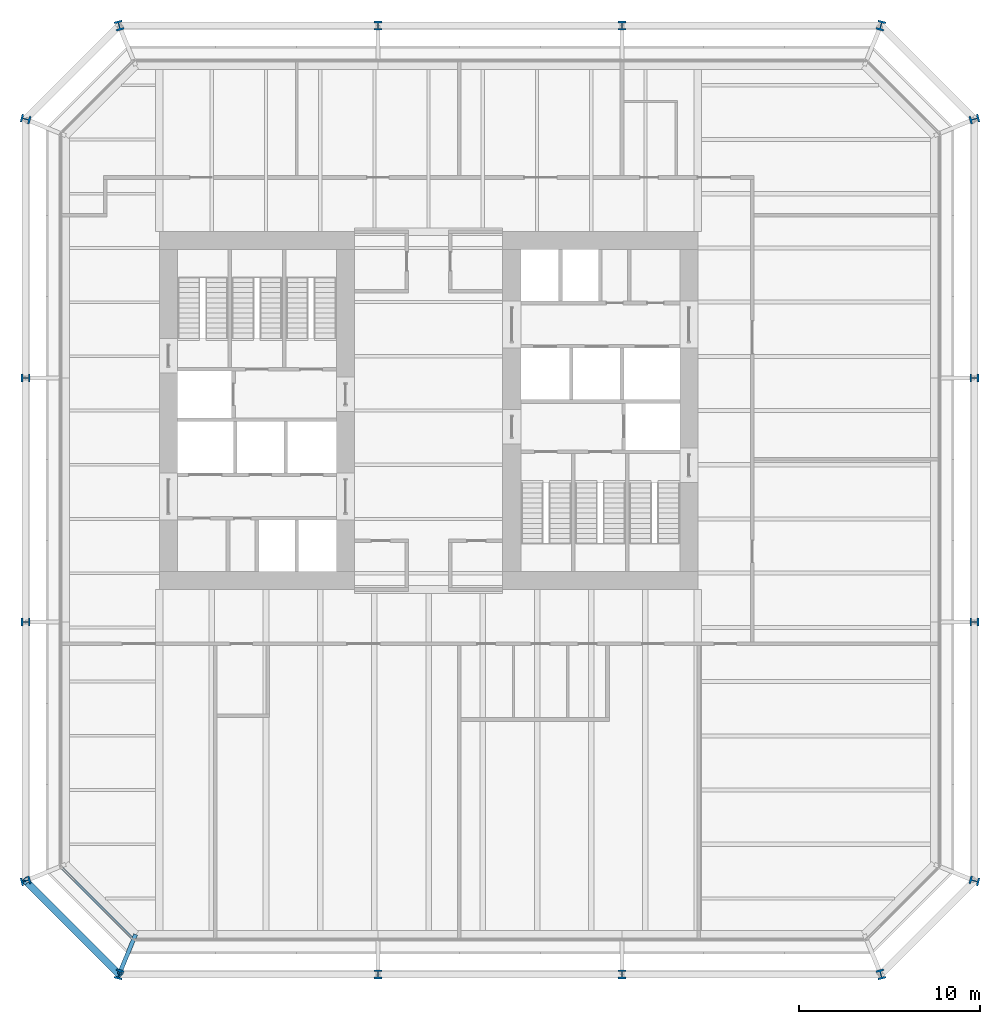
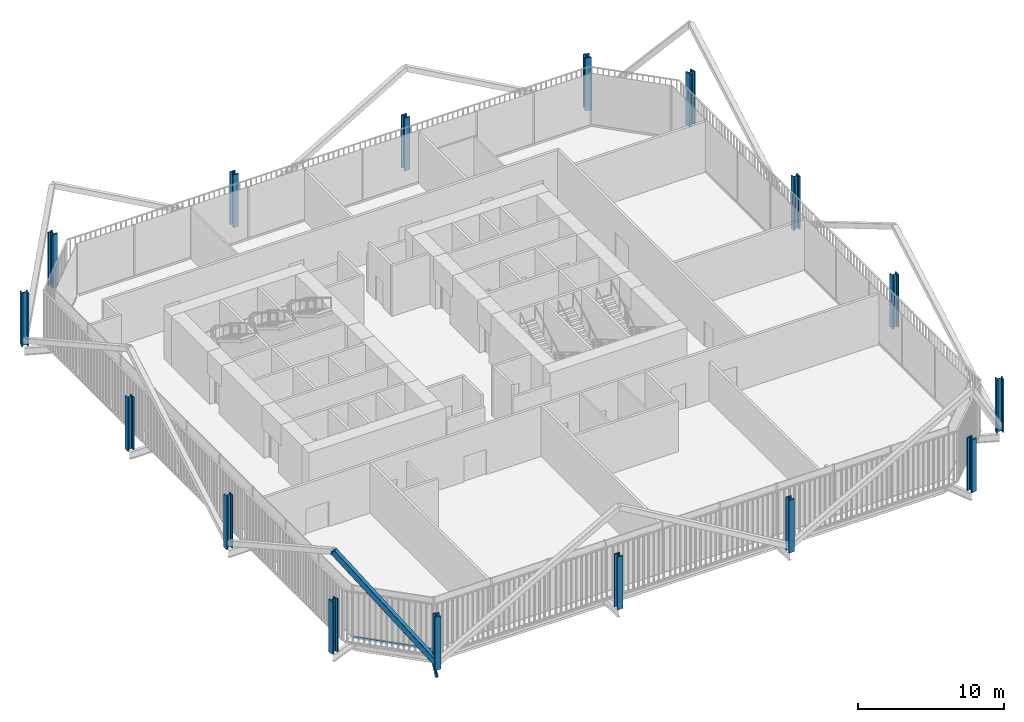
# One storey, part 1 of 21: 16 columns, 2 members, 1 beam, 1 element without a shape of its own.
"""IFC4 building model written with IfcOpenShell, lengths in metres."""

from ifc_helpers import new_model, si_unit, direction, frame, origin, origin_2d, place, context, subcontext, project, spatial, rectangle, hollow_rectangle, i_section, extrude, material, layer, layer_set, material_profile, profile_set, type_object, element, aggregate, save


model = new_model("IFC4")

# Units and contexts
model_context = context("Model", 3, precision=1e-05, world=origin(), true_north=direction((0.0, 1.0)))
body_context = subcontext(model_context, "Body", "Model", "MODEL_VIEW")
ifc_project = project(units=[si_unit("LENGTHUNIT", "METRE"), si_unit("AREAUNIT", "SQUARE_METRE"), si_unit("VOLUMEUNIT", "CUBIC_METRE"), si_unit("PLANEANGLEUNIT", "RADIAN"), si_unit("MASSUNIT", "GRAM", prefix="KILO")], contexts=[model_context])

# Site, building, storey
site_placement = place(None, origin())
site = spatial("IfcSite", under=ifc_project, at=site_placement, CompositionType="ELEMENT")
building_placement = place(site_placement, origin())
building = spatial("IfcBuilding", under=site, at=building_placement, Name="Millrace Tower", CompositionType="ELEMENT")
storey_placement = place(building_placement, frame((0.0, 0.0, 82.0)))
storey = spatial("IfcBuildingStorey", under=building, at=storey_placement, Name="L18", CompositionType="ELEMENT", Elevation=82.0)

# Columns
ifc_material_1 = material(Name="Steel ASTM A913 Grade 65", Category="steel")
ifc_material_profile_1 = material_profile(ifc_material_1, i_section(OverallWidth=0.431884765625, OverallDepth=0.497802734375, WebThickness=0.0556640625, FlangeThickness=0.0888671875, FilletRadius=0.01513671875, at=origin_2d()))
ifc_profile_set_1 = profile_set([ifc_material_profile_1], Name="Steel ASTM A913 Grade 65")
column_type_1 = type_object("IfcColumnType", Name="Exoskeleton column W14x500", PredefinedType="COLUMN", material=ifc_profile_set_1)
for number, where, z_axis, x_axis, name in (
    (1, (-2.800048828125, -31.199951171875, 0.0), (0.0, 0.0, 1.0), (1.0, 0.0, 0.0), "COL-B-L18-X03"),
    (2, (10.699951171875, -31.199951171875, 0.0), (0.0, 0.0, 1.0), (1.0, 0.0, 0.0), "COL-B-L18-X04"),
    (3, (30.199951171875, -11.699951171875, 0.0), (0.0, 0.0, 1.0), (0.0, 1.0, 0.0), "COL-B-L18-X07"),
    (4, (30.199951171875, 1.800048828125, 0.0), (0.0, 0.0, 1.0), (0.0, 1.0, 0.0), "COL-B-L18-X08"),
    (5, (10.699951171875, 21.300048828125, 0.0), (0.0, 0.0, 1.0), (-1.0, 0.0, 0.0), "COL-B-L18-X11"),
    (6, (-2.800048828125, 21.300048828125, 0.0), (0.0, 0.0, 1.0), (-1.0, 0.0, 0.0), "COL-B-L18-X12"),
    (7, (-22.300048828125, 1.800048828125, 0.0), (0.0, 0.0, 1.0), (0.0, -1.0, 0.0), "COL-B-L18-X15"),
    (8, (-22.300048828125, -11.699951171875, 0.0), (0.0, 0.0, 1.0), (0.0, -1.0, 0.0), "COL-B-L18-X16"),
):
    element("IfcColumn", number, at=place(storey_placement, frame(where, z_axis=z_axis, x_axis=x_axis)), inside=storey, type_object=column_type_1, Name=name, PredefinedType="COLUMN", context=body_context, shape_type="SweptSolid", body=[
        extrude(i_section(OverallWidth=0.431884765625, OverallDepth=0.497802734375, WebThickness=0.0556640625, FlangeThickness=0.0888671875, FilletRadius=0.01513671875, at=origin_2d()), origin(), (0.0, 0.0, 1.0), 4.39990234375),
    ])
ifc_material_2 = material(Name="Steel ASTM A913 Grade 65", Category="steel")
ifc_material_profile_2 = material_profile(ifc_material_2, i_section(OverallWidth=0.44189453125, OverallDepth=0.53076171875, WebThickness=0.06591796875, FlangeThickness=0.105712890625, FilletRadius=0.01513671875, at=origin_2d()))
ifc_profile_set_2 = profile_set([ifc_material_profile_2], Name="Steel ASTM A913 Grade 65")
column_type_2 = type_object("IfcColumnType", Name="Exoskeleton column W14x605", PredefinedType="COLUMN", material=ifc_profile_set_2)
for number, where, z_axis, x_axis, name in (
    (9, (-22.300048828125, -26.0283203125, 0.0), (0.0, 0.0, 1.0), (0.256346878353, -0.966584852953, 0.0), "COL-B-L18-X01"),
    (10, (-17.12841796875, -31.199951171875, 0.0), (0.0, 0.0, 1.0), (0.966584852953, -0.256346878353, 0.0), "COL-B-L18-X02"),
    (11, (25.0283203125, -31.199951171875, 0.0), (0.0, 0.0, 1.0), (0.966584852953, 0.256346878353, 0.0), "COL-B-L18-X05"),
    (12, (30.199951171875, -26.0283203125, 0.0), (0.0, 0.0, 1.0), (0.256346878353, 0.966584852953, 0.0), "COL-B-L18-X06"),
    (13, (30.199951171875, 16.12841796875, 0.0), (0.0, 0.0, 1.0), (-0.256346878353, 0.966584852953, 0.0), "COL-B-L18-X09"),
    (14, (25.0283203125, 21.300048828125, 0.0), (0.0, 0.0, 1.0), (-0.966584852953, 0.256346878353, 0.0), "COL-B-L18-X10"),
    (15, (-17.12841796875, 21.300048828125, 0.0), (0.0, 0.0, 1.0), (-0.966584852953, -0.256346878353, 0.0), "COL-B-L18-X13"),
    (16, (-22.300048828125, 16.12841796875, 0.0), (0.0, 0.0, 1.0), (-0.256346878353, -0.966584852953, 0.0), "COL-B-L18-X14"),
):
    element("IfcColumn", number, at=place(storey_placement, frame(where, z_axis=z_axis, x_axis=x_axis)), inside=storey, type_object=column_type_2, Name=name, PredefinedType="COLUMN", context=body_context, shape_type="SweptSolid", body=[
        extrude(i_section(OverallWidth=0.44189453125, OverallDepth=0.53076171875, WebThickness=0.06591796875, FlangeThickness=0.105712890625, FilletRadius=0.01513671875, at=origin_2d()), origin(), (0.0, 0.0, 1.0), 4.39990234375),
    ])

# Curtain wall, member
ifc_material_3 = material(Name="Aluminium and glass", Category="aluminium")
ifc_layer = layer(ifc_material_3, 0.14990234375)
ifc_layer_set = layer_set([ifc_layer], Name="Aluminium and glass")
curtain_wall_type = type_object("IfcCurtainWallType", Name="CW-3 telecom floor curtain wall", PredefinedType="NOTDEFINED", material=ifc_layer_set)
curtain_wall_placement = place(storey_placement, origin())
curtain_wall = element("IfcCurtainWall", 17, at=curtain_wall_placement, inside=storey, type_object=curtain_wall_type, Name="Curtain wall B-F01 L18", PredefinedType="NOTDEFINED")
ifc_material_4 = material(Name="Aluminium", Category="aluminium")
ifc_material_profile_3 = material_profile(ifc_material_4, rectangle(XDim=0.14990234375, YDim=0.14990234375, at=origin_2d()))
ifc_profile_set_3 = profile_set([ifc_material_profile_3], Name="Aluminium")
member_type_1 = type_object("IfcMemberType", Name="CW-3 telecom floor curtain wall transom", PredefinedType="USERDEFINED", material=ifc_profile_set_3)
member_1_placement = place(storey_placement, frame((-20.2822265625, -25.32373046875, 0.074951171875), z_axis=(0.707084410407, -0.707129151258, 0.0), x_axis=(0.707129151258, 0.707084410407, 0.0)))
member_1 = element("IfcMember", 18, at=member_1_placement, type_object=member_type_1, Name="CW3 transom B-F01.1", ObjectType="TRANSOM", PredefinedType="USERDEFINED", context=body_context, shape_type="SweptSolid", body=[
    extrude(rectangle(XDim=0.14990234375, YDim=0.14990234375, at=origin_2d()), origin(), (0.0, 0.0, 1.0), 5.456787109375),
])
aggregate(curtain_wall, [member_1])

# Member
ifc_material_5 = material(Name="Steel ASTM A500 Grade C", Category="steel")
ifc_material_profile_4 = material_profile(ifc_material_5, hollow_rectangle(XDim=0.406494140625, YDim=0.406494140625, WallThickness=0.015869140625, InnerFilletRadius=0.008056640625, OuterFilletRadius=0.02392578125, at=origin_2d()))
ifc_profile_set_4 = profile_set([ifc_material_profile_4], Name="Steel ASTM A500 Grade C")
member_type_2 = type_object("IfcMemberType", Name="Exoskeleton brace HSS16x16x5/8", PredefinedType="BRACE", material=ifc_profile_set_4)
member_2_placement = place(storey_placement, frame((-17.12841796875, -31.199951171875, 0.39990234375), z_axis=(-0.477116280189, 0.477116280189, 0.738051563482), x_axis=(-0.707106781187, -0.707106781187, 0.0)))
element("IfcMember", 19, at=member_2_placement, inside=storey, type_object=member_type_2, Name="BRC-B-L18-01", PredefinedType="BRACE", context=body_context, shape_type="SweptSolid", body=[
    extrude(hollow_rectangle(XDim=0.406494140625, YDim=0.406494140625, WallThickness=0.015869140625, InnerFilletRadius=0.008056640625, OuterFilletRadius=0.02392578125, at=origin_2d()), origin(), (0.0, 0.0, 1.0), 10.83935546875),
])

# Beam
ifc_material_6 = material(Name="Steel ASTM A992 Grade 50", Category="steel")
ifc_material_profile_5 = material_profile(ifc_material_6, i_section(OverallWidth=0.23046875, OverallDepth=0.6171875, WebThickness=0.01318359375, FlangeThickness=0.022216796875, FilletRadius=0.012939453125, at=origin_2d()))
ifc_profile_set_5 = profile_set([ifc_material_profile_5], Name="Steel ASTM A992 Grade 50")
beam_type = type_object("IfcBeamType", Name="Link beam W24x94", PredefinedType="BEAM", material=ifc_profile_set_5)
beam_placement = place(storey_placement, frame((-16.213134765625, -28.990478515625, -0.508544921875), z_axis=(-0.382715433277, -0.92386627665, 0.0), x_axis=(0.92386627665, -0.382715433277, 0.0)))
element("IfcBeam", 20, at=beam_placement, inside=storey, type_object=beam_type, Name="LNK-B-L18-S1-16", PredefinedType="BEAM", context=body_context, shape_type="SweptSolid", body=[
    extrude(i_section(OverallWidth=0.23046875, OverallDepth=0.6171875, WebThickness=0.01318359375, FlangeThickness=0.022216796875, FilletRadius=0.012939453125, at=origin_2d()), origin(), (0.0, 0.0, 1.0), 2.3916015625),
])

save(model, "model.ifc")
